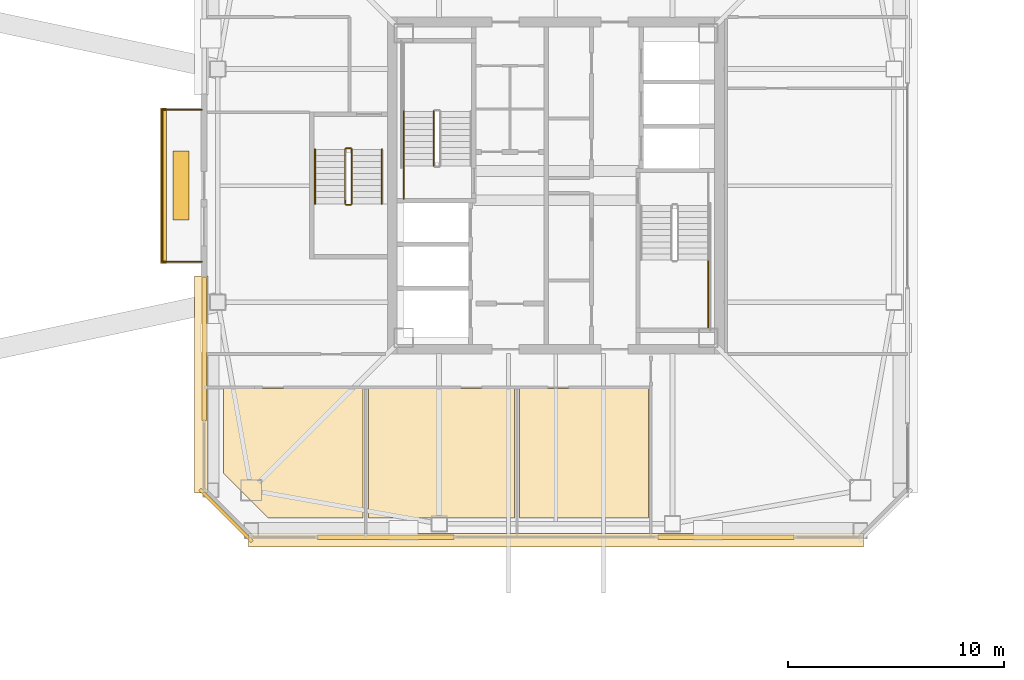
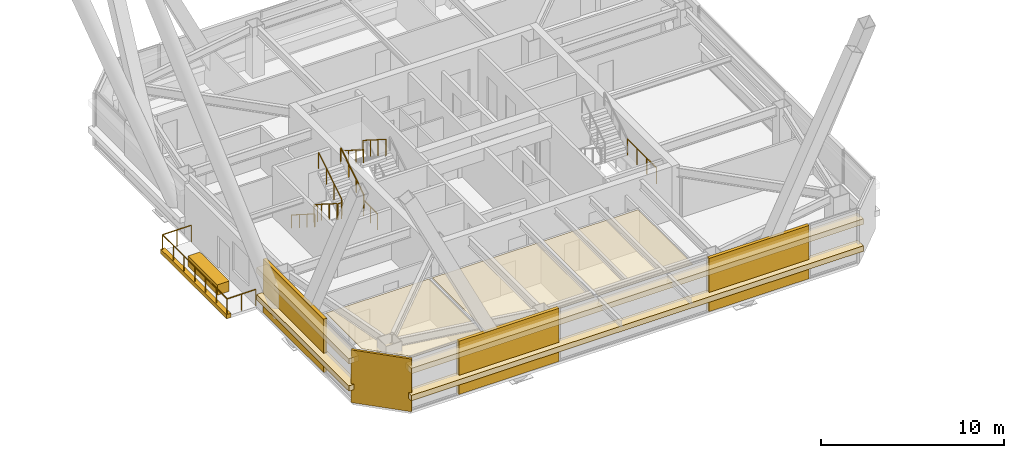
# One storey, part 51 of 56: 13 coverings, 13 railings.
"""IFC4 building model written with IfcOpenShell, lengths in metres."""

from ifc_helpers import new_model, si_unit, direction, frame, origin, origin_2d, place, context, subcontext, project, spatial, polyline, rectangle, outline, extrude, material, layer, layer_set, type_object, element, save


model = new_model("IFC4")

# Units and contexts
model_context = context("Model", 3, precision=1e-05, world=origin(), true_north=direction((0.0, 1.0)))
body_context = subcontext(model_context, "Body", "Model", "MODEL_VIEW")
ifc_project = project(units=[si_unit("LENGTHUNIT", "METRE"), si_unit("AREAUNIT", "SQUARE_METRE"), si_unit("VOLUMEUNIT", "CUBIC_METRE"), si_unit("PLANEANGLEUNIT", "RADIAN"), si_unit("MASSUNIT", "GRAM", prefix="KILO")], contexts=[model_context])

# Site, building, storey
site_placement = place(None, origin())
site = spatial("IfcSite", under=ifc_project, at=site_placement, CompositionType="ELEMENT")
building_placement = place(site_placement, origin())
building = spatial("IfcBuilding", under=site, at=building_placement, Name="Tashvorn Skyway Center", CompositionType="ELEMENT")
storey_placement = place(building_placement, frame((0.0, 0.0, 218.39990234375)))
storey = spatial("IfcBuildingStorey", under=building, at=storey_placement, Name="L59", CompositionType="ELEMENT", Elevation=218.39990234375)

# Coverings
ifc_material_1 = material(Name="Precast concrete C40/50", Category="concrete")
ifc_layer_1 = layer(ifc_material_1, 0.199951171875)
ifc_layer_set_1 = layer_set([ifc_layer_1], Name="Precast concrete C40/50")
covering_type_1 = type_object("IfcCoveringType", Name="COV-BRACE-CLAD", PredefinedType="CLADDING", material=ifc_layer_set_1)
for number, where, z_axis, x_axis, name in (
    (1, (49.877685546875, 15.719970703125, 0.0), (0.0, 0.0, 1.0), (-1.0, 0.0, 0.0), "Tower 1 L59 South Unitised Curtain Wall Mega-Brace Cladding Band 1"),
    (2, (34.122314453125, 15.719970703125, 0.0), (0.0, 0.0, 1.0), (-1.0, 0.0, 0.0), "Tower 1 L59 South Unitised Curtain Wall Mega-Brace Cladding Band 2"),
):
    element("IfcCovering", number, at=place(storey_placement, frame(where, z_axis=z_axis, x_axis=x_axis)), inside=storey, type_object=covering_type_1, Name=name, PredefinedType="CLADDING", context=body_context, shape_type="SweptSolid", body=[
        extrude(rectangle(XDim=6.30224609375, YDim=0.199951171875, at=origin_2d()), origin(), (0.0, 0.0, 1.0), 3.550048828125),
    ])
covering_1_placement = place(storey_placement, frame((25.719970703125, 24.43994140625, 0.0), z_axis=(0.0, 0.0, 1.0), x_axis=(0.0, 1.0, 0.0)))
element("IfcCovering", 3, at=covering_1_placement, inside=storey, type_object=covering_type_1, Name="Tower 1 L59 West Curtain Wall L Mega-Brace Cladding Band 1", PredefinedType="CLADDING", context=body_context, shape_type="SweptSolid", body=[
    extrude(rectangle(XDim=6.6201171875, YDim=0.199951171875, at=origin_2d()), origin(), (0.0, 0.0, 1.0), 3.550048828125),
])
ifc_material_2 = material(Name="Mineral-fibre acoustic ceiling tile on suspended grid")
ifc_layer_2 = layer(ifc_material_2, 0.02001953125)
ifc_layer_set_2 = layer_set([ifc_layer_2], Name="Mineral-fibre acoustic ceiling tile on suspended grid")
covering_type_2 = type_object("IfcCoveringType", Name="COV-CEIL-20", PredefinedType="CEILING", material=ifc_layer_set_2)
covering_2_placement = place(storey_placement, frame((0.0, 0.0, 2.703125)))
element("IfcCovering", 4, at=covering_2_placement, inside=storey, type_object=covering_type_2, Name="Tower 1 L59 Executive Suite Acoustic Ceiling", PredefinedType="CEILING", context=body_context, shape_type="SweptSolid", body=[
    extrude(outline(polyline([(26.6201171875, 22.610107421875), (33.080078125, 22.610107421875), (33.080078125, 16.6201171875), (28.679931640625, 16.6201171875), (26.6201171875, 18.679931640625), (26.6201171875, 22.610107421875)])), origin(), (0.0, 0.0, 1.0), 0.02001953125),
])
covering_3_placement = place(storey_placement, frame((0.0, 0.0, 2.703125)))
element("IfcCovering", 5, at=covering_3_placement, inside=storey, type_object=covering_type_2, Name="Tower 1 L59 Catering Pantry Acoustic Ceiling", PredefinedType="CEILING", context=body_context, shape_type="SweptSolid", body=[
    extrude(outline(polyline([(33.320068359375, 22.610107421875), (40.080078125, 22.610107421875), (40.080078125, 16.6201171875), (33.320068359375, 16.6201171875), (33.320068359375, 22.610107421875)])), origin(), (0.0, 0.0, 1.0), 0.02001953125),
])
covering_4_placement = place(storey_placement, frame((0.0, 0.0, 2.703125)))
element("IfcCovering", 6, at=covering_4_placement, inside=storey, type_object=covering_type_2, Name="Tower 1 L59 Catering Pantry Acoustic Ceiling", PredefinedType="CEILING", context=body_context, shape_type="SweptSolid", body=[
    extrude(outline(polyline([(40.320068359375, 22.610107421875), (46.280029296875, 22.610107421875), (46.280029296875, 16.6201171875), (40.320068359375, 16.6201171875), (40.320068359375, 22.610107421875)])), origin(), (0.0, 0.0, 1.0), 0.02001953125),
])
ifc_material_3 = material(Name="Perforated ceramic-coated bronze aluminium solar screen", Category="aluminium")
ifc_layer_3 = layer(ifc_material_3, 0.85009765625)
ifc_layer_set_3 = layer_set([ifc_layer_3], Name="Perforated ceramic-coated bronze aluminium solar screen")
covering_type_3 = type_object("IfcCoveringType", Name="COV-SOLAR-BAND", PredefinedType="CLADDING", material=ifc_layer_set_3)
for number, where, z_axis, x_axis, name in (
    (7, (42.0, 15.580078125, 0.919921875), (0.0, 0.0, 1.0), (-1.0, 0.0, 0.0), "L59 Perforated Ceramic-Metal Solar Screen Louvre Band South 1"),
    (8, (42.0, 15.580078125, 2.72021484375), (0.0, 0.0, 1.0), (-1.0, 0.0, 0.0), "L59 Perforated Ceramic-Metal Solar Screen Louvre Band South 2"),
):
    element("IfcCovering", number, at=place(storey_placement, frame(where, z_axis=z_axis, x_axis=x_axis)), inside=storey, type_object=covering_type_3, Name=name, PredefinedType="CLADDING", context=body_context, shape_type="SweptSolid", body=[
        extrude(rectangle(XDim=28.47998046875, YDim=0.639892578125, at=origin_2d()), origin(), (0.0, 0.0, 1.0), 0.360107421875),
    ])
for number, where, z_axis, x_axis, name in (
    (9, (25.580078125, 22.784912109375, 0.919921875), (0.0, 0.0, 1.0), (0.0, 1.0, 0.0), "L59 Perforated Ceramic-Metal Solar Screen Louvre Band West 1"),
    (10, (25.580078125, 22.784912109375, 2.72021484375), (0.0, 0.0, 1.0), (0.0, 1.0, 0.0), "L59 Perforated Ceramic-Metal Solar Screen Louvre Band West 2"),
):
    element("IfcCovering", number, at=place(storey_placement, frame(where, z_axis=z_axis, x_axis=x_axis)), inside=storey, type_object=covering_type_3, Name=name, PredefinedType="CLADDING", context=body_context, shape_type="SweptSolid", body=[
        extrude(rectangle(XDim=10.050048828125, YDim=0.639892578125, at=origin_2d()), origin(), (0.0, 0.0, 1.0), 0.360107421875),
    ])
ifc_layer_4 = layer(ifc_material_1, 0.35009765625)
ifc_layer_set_4 = layer_set([ifc_layer_4], Name="Precast concrete C40/50")
covering_type_4 = type_object("IfcCoveringType", Name="COV-STONE-TRIM", PredefinedType="CLADDING", material=ifc_layer_set_4)
covering_5_placement = place(storey_placement, frame((23.840087890625, 32.0, -0.16015625), z_axis=(0.0, 0.0, 1.0), x_axis=(0.0, 1.0, 0.0)))
element("IfcCovering", 11, at=covering_5_placement, inside=storey, type_object=covering_type_4, Name="Tower 1 L59 Spiral Terrace Terracotta Fascia", PredefinedType="CLADDING", context=body_context, shape_type="SweptSolid", body=[
    extrude(rectangle(XDim=7.199951171875, YDim=0.280029296875, at=origin_2d()), origin(), (0.0, 0.0, 1.0), 0.280029296875),
])
covering_6_placement = place(storey_placement, frame((24.64990234375, 32.0, 0.0), z_axis=(0.0, 0.0, 1.0), x_axis=(0.0, 1.0, 0.0)))
element("IfcCovering", 12, at=covering_6_placement, inside=storey, type_object=covering_type_4, Name="Tower 1 L59 Spiral Terrace Planter", PredefinedType="CLADDING", context=body_context, shape_type="SweptSolid", body=[
    extrude(rectangle(XDim=3.199951171875, YDim=0.75, at=origin_2d()), origin(), (0.0, 0.0, 1.0), 0.679931640625),
])
covering_7_placement = place(storey_placement, frame((26.72998046875, 16.72998046875, 0.02001953125), z_axis=(0.0, 0.0, 1.0), x_axis=(-0.707106781187, 0.707106781187, 0.0)))
element("IfcCovering", 13, at=covering_7_placement, inside=storey, type_object=covering_type_4, Name="Tower 1 L59 SW Mojave Limestone Corner Quoin", PredefinedType="CLADDING", context=body_context, shape_type="SweptSolid", body=[
    extrude(rectangle(XDim=3.41259765625, YDim=0.139892578125, at=origin_2d()), origin(), (0.0, 0.0, 1.0), 3.510009765625),
])

# Railings
ifc_material_4 = material(Name="Galvanized steel S355", Category="steel")
railing_type_1 = type_object("IfcRailingType", Name="RAIL-GUARD-1120", PredefinedType="GUARDRAIL", material=ifc_material_4)
railing_1_placement = place(storey_placement, frame((25.60009765625, 28.47998046875, 0.0)))
element("IfcRailing", 14, at=railing_1_placement, inside=storey, type_object=railing_type_1, Name="L59 Tower 1 Terrace Guardrail 01", PredefinedType="GUARDRAIL", context=body_context, shape_type="SweptSolid", body=[
    extrude(rectangle(XDim=0.048095703125, YDim=0.048095703125, at=origin_2d()), frame((0.0, 0.0, 1.09619140625), z_axis=(-1.0, 0.0, 0.0), x_axis=(0.0, -1.0, 0.0)), (0.0, 0.0, 1.0), 1.820068359375),
    extrude(rectangle(XDim=0.0419921875, YDim=0.0419921875, at=origin_2d()), origin(), (0.0, 0.0, 1.0), 1.072021484375),
    extrude(rectangle(XDim=0.0419921875, YDim=0.0419921875, at=origin_2d()), frame((-0.91015625, 0.0, 0.0)), (0.0, 0.0, 1.0), 1.072021484375),
    extrude(rectangle(XDim=0.0419921875, YDim=0.0419921875, at=origin_2d()), frame((-1.820068359375, 0.0, 0.0)), (0.0, 0.0, 1.0), 1.072021484375),
])
railing_2_placement = place(storey_placement, frame((23.780029296875, 28.47998046875, 0.0)))
element("IfcRailing", 15, at=railing_2_placement, inside=storey, type_object=railing_type_1, Name="L59 Tower 1 Terrace Guardrail 02", PredefinedType="GUARDRAIL", context=body_context, shape_type="SweptSolid", body=[
    extrude(rectangle(XDim=0.048095703125, YDim=0.048095703125, at=origin_2d()), frame((0.0, 0.0, 1.09619140625), z_axis=(0.0, 1.0, 0.0), x_axis=(-1.0, 0.0, 0.0)), (0.0, 0.0, 1.0), 7.0400390625),
    extrude(rectangle(XDim=0.0419921875, YDim=0.0419921875, at=origin_2d()), origin(), (0.0, 0.0, 1.0), 1.072021484375),
    extrude(rectangle(XDim=0.0419921875, YDim=0.0419921875, at=origin_2d()), frame((0.0, 1.17333984375, 0.0)), (0.0, 0.0, 1.0), 1.072021484375),
    extrude(rectangle(XDim=0.0419921875, YDim=0.0419921875, at=origin_2d()), frame((0.0, 2.3466796875, 0.0)), (0.0, 0.0, 1.0), 1.072021484375),
    extrude(rectangle(XDim=0.0419921875, YDim=0.0419921875, at=origin_2d()), frame((0.0, 3.52001953125, 0.0)), (0.0, 0.0, 1.0), 1.072021484375),
    extrude(rectangle(XDim=0.0419921875, YDim=0.0419921875, at=origin_2d()), frame((0.0, 4.693359375, 0.0)), (0.0, 0.0, 1.0), 1.072021484375),
    extrude(rectangle(XDim=0.0419921875, YDim=0.0419921875, at=origin_2d()), frame((0.0, 5.86669921875, 0.0)), (0.0, 0.0, 1.0), 1.072021484375),
    extrude(rectangle(XDim=0.0419921875, YDim=0.0419921875, at=origin_2d()), frame((0.0, 7.0400390625, 0.0)), (0.0, 0.0, 1.0), 1.072021484375),
])
railing_3_placement = place(storey_placement, frame((23.780029296875, 35.52001953125, 0.0)))
element("IfcRailing", 16, at=railing_3_placement, inside=storey, type_object=railing_type_1, Name="L59 Tower 1 Terrace Guardrail 03", PredefinedType="GUARDRAIL", context=body_context, shape_type="SweptSolid", body=[
    extrude(rectangle(XDim=0.048095703125, YDim=0.048095703125, at=origin_2d()), frame((0.0, 0.0, 1.09619140625), z_axis=(1.0, 0.0, 0.0), x_axis=(0.0, 1.0, 0.0)), (0.0, 0.0, 1.0), 1.820068359375),
    extrude(rectangle(XDim=0.0419921875, YDim=0.0419921875, at=origin_2d()), origin(), (0.0, 0.0, 1.0), 1.072021484375),
    extrude(rectangle(XDim=0.0419921875, YDim=0.0419921875, at=origin_2d()), frame((0.91015625, 0.0, 0.0)), (0.0, 0.0, 1.0), 1.072021484375),
    extrude(rectangle(XDim=0.0419921875, YDim=0.0419921875, at=origin_2d()), frame((1.820068359375, 0.0, 0.0)), (0.0, 0.0, 1.0), 1.072021484375),
])
ifc_material_5 = material(Name="Brushed stainless steel 316", Category="steel")
railing_type_2 = type_object("IfcRailingType", Name="RAIL-HAND-920", PredefinedType="HANDRAIL", material=ifc_material_5)
railing_4_placement = place(storey_placement, frame((34.949951171875, 35.43994140625, 1.95263671875)))
element("IfcRailing", 17, at=railing_4_placement, inside=storey, type_object=railing_type_2, Name="L59 ST-T1-1 stair handrail 2", PredefinedType="HANDRAIL", context=body_context, shape_type="SweptSolid", body=[
    extrude(rectangle(XDim=0.048095703125, YDim=0.048095703125, at=origin_2d()), frame((0.0, 0.0, 0.8759765625), z_axis=(0.0, -0.84460694969, 0.535386869969), x_axis=(1.0, 0.0, 0.0)), (0.0, 0.0, 1.0), 2.983642578125),
    extrude(rectangle(XDim=0.0419921875, YDim=0.0419921875, at=origin_2d()), origin(), (0.0, 0.0, 1.0), 0.851806640625),
    extrude(rectangle(XDim=0.0419921875, YDim=0.0419921875, at=origin_2d()), frame((0.0, -0.840087890625, 0.532470703125)), (0.0, 0.0, 1.0), 0.851806640625),
    extrude(rectangle(XDim=0.0419921875, YDim=0.0419921875, at=origin_2d()), frame((0.0, -1.679931640625, 1.06494140625)), (0.0, 0.0, 1.0), 0.851806640625),
    extrude(rectangle(XDim=0.0419921875, YDim=0.0419921875, at=origin_2d()), frame((0.0, -2.52001953125, 1.597412109375)), (0.0, 0.0, 1.0), 0.851806640625),
])
railing_5_placement = place(storey_placement, frame((30.85009765625, 33.679931640625, 0.177490234375)))
element("IfcRailing", 18, at=railing_5_placement, inside=storey, type_object=railing_type_2, Name="L59 ST-T1-3 stair handrail 1", PredefinedType="HANDRAIL", context=body_context, shape_type="SweptSolid", body=[
    extrude(rectangle(XDim=0.048095703125, YDim=0.048095703125, at=origin_2d()), frame((0.0, 0.0, 0.8759765625), z_axis=(0.0, -0.84456994832, 0.535445237532), x_axis=(1.0, 0.0, 0.0)), (0.0, 0.0, 1.0), 2.98388671875),
    extrude(rectangle(XDim=0.0419921875, YDim=0.0419921875, at=origin_2d()), origin(), (0.0, 0.0, 1.0), 0.851806640625),
    extrude(rectangle(XDim=0.0419921875, YDim=0.0419921875, at=origin_2d()), frame((0.0, -0.840087890625, 0.532470703125)), (0.0, 0.0, 1.0), 0.851806640625),
    extrude(rectangle(XDim=0.0419921875, YDim=0.0419921875, at=origin_2d()), frame((0.0, -1.679931640625, 1.065185546875)), (0.0, 0.0, 1.0), 0.851806640625),
    extrude(rectangle(XDim=0.0419921875, YDim=0.0419921875, at=origin_2d()), frame((0.0, -2.52001953125, 1.59765625)), (0.0, 0.0, 1.0), 0.851806640625),
])
railing_6_placement = place(storey_placement, frame((33.949951171875, 31.159912109375, 1.95263671875)))
element("IfcRailing", 19, at=railing_6_placement, inside=storey, type_object=railing_type_2, Name="L59 ST-T1-3 stair handrail 2", PredefinedType="HANDRAIL", context=body_context, shape_type="SweptSolid", body=[
    extrude(rectangle(XDim=0.048095703125, YDim=0.048095703125, at=origin_2d()), frame((0.0, 0.0, 0.8759765625), z_axis=(0.0, 0.84460694969, 0.535386869969), x_axis=(-1.0, 0.0, 0.0)), (0.0, 0.0, 1.0), 2.983642578125),
    extrude(rectangle(XDim=0.0419921875, YDim=0.0419921875, at=origin_2d()), origin(), (0.0, 0.0, 1.0), 0.851806640625),
    extrude(rectangle(XDim=0.0419921875, YDim=0.0419921875, at=origin_2d()), frame((0.0, 0.840087890625, 0.532470703125)), (0.0, 0.0, 1.0), 0.851806640625),
    extrude(rectangle(XDim=0.0419921875, YDim=0.0419921875, at=origin_2d()), frame((0.0, 1.679931640625, 1.06494140625)), (0.0, 0.0, 1.0), 0.851806640625),
    extrude(rectangle(XDim=0.0419921875, YDim=0.0419921875, at=origin_2d()), frame((0.0, 2.52001953125, 1.597412109375)), (0.0, 0.0, 1.0), 0.851806640625),
])
ifc_material_6 = material(Name="Painted galvanized steel S355", Category="steel")
railing_type_3 = type_object("IfcRailingType", Name="RAIL-STGUARD-1100", PredefinedType="GUARDRAIL", material=ifc_material_6)
railing_7_placement = place(storey_placement, frame((36.35009765625, 35.43994140625, 1.95263671875)))
element("IfcRailing", 20, at=railing_7_placement, inside=storey, type_object=railing_type_3, Name="L59 ST-T1-1 stair guard 4", PredefinedType="GUARDRAIL", context=body_context, shape_type="SweptSolid", body=[
    extrude(rectangle(XDim=0.048095703125, YDim=0.048095703125, at=origin_2d()), frame((0.0, 0.0, 1.076171875), z_axis=(0.0, -0.84460694969, 0.535386869969), x_axis=(1.0, 0.0, 0.0)), (0.0, 0.0, 1.0), 2.983642578125),
    extrude(rectangle(XDim=0.0419921875, YDim=0.0419921875, at=origin_2d()), origin(), (0.0, 0.0, 1.0), 1.052001953125),
    extrude(rectangle(XDim=0.0419921875, YDim=0.0419921875, at=origin_2d()), frame((0.0, -0.840087890625, 0.532470703125)), (0.0, 0.0, 1.0), 1.052001953125),
    extrude(rectangle(XDim=0.0419921875, YDim=0.0419921875, at=origin_2d()), frame((0.0, -1.679931640625, 1.06494140625)), (0.0, 0.0, 1.0), 1.052001953125),
    extrude(rectangle(XDim=0.0419921875, YDim=0.0419921875, at=origin_2d()), frame((0.0, -2.52001953125, 1.597412109375)), (0.0, 0.0, 1.0), 1.052001953125),
])
railing_8_placement = place(storey_placement, frame((34.949951171875, 31.39990234375, 0.0)))
element("IfcRailing", 21, at=railing_8_placement, inside=storey, type_object=railing_type_3, Name="L59 ST-T1-1 stair guard 6", PredefinedType="GUARDRAIL", context=body_context, shape_type="SweptSolid", body=[
    extrude(rectangle(XDim=0.048095703125, YDim=0.048095703125, at=origin_2d()), frame((0.0, 0.0, 1.076171875), z_axis=(0.0, 1.0, 0.0), x_axis=(-1.0, 0.0, 0.0)), (0.0, 0.0, 1.0), 1.52001953125),
    extrude(rectangle(XDim=0.0419921875, YDim=0.0419921875, at=origin_2d()), origin(), (0.0, 0.0, 1.0), 1.052001953125),
    extrude(rectangle(XDim=0.0419921875, YDim=0.0419921875, at=origin_2d()), frame((0.0, 0.760009765625, 0.0)), (0.0, 0.0, 1.0), 1.052001953125),
    extrude(rectangle(XDim=0.0419921875, YDim=0.0419921875, at=origin_2d()), frame((0.0, 1.52001953125, 0.0)), (0.0, 0.0, 1.0), 1.052001953125),
])
railing_9_placement = place(storey_placement, frame((49.050048828125, 28.56005859375, 1.775146484375)))
element("IfcRailing", 22, at=railing_9_placement, inside=storey, type_object=railing_type_3, Name="L59 ST-T1-2 stair guard 3", PredefinedType="GUARDRAIL", context=body_context, shape_type="SweptSolid", body=[
    extrude(rectangle(XDim=0.048095703125, YDim=0.048095703125, at=origin_2d()), frame((0.0, 0.0, 1.076171875), z_axis=(0.0, -1.0, 0.0), x_axis=(1.0, 0.0, 0.0)), (0.0, 0.0, 1.0), 3.16015625),
    extrude(rectangle(XDim=0.0419921875, YDim=0.0419921875, at=origin_2d()), origin(), (0.0, 0.0, 1.0), 1.052001953125),
    extrude(rectangle(XDim=0.0419921875, YDim=0.0419921875, at=origin_2d()), frame((0.0, -1.053466796875, 0.0)), (0.0, 0.0, 1.0), 1.052001953125),
    extrude(rectangle(XDim=0.0419921875, YDim=0.0419921875, at=origin_2d()), frame((0.0, -2.106689453125, 0.0)), (0.0, 0.0, 1.0), 1.052001953125),
    extrude(rectangle(XDim=0.0419921875, YDim=0.0419921875, at=origin_2d()), frame((0.0, -3.16015625, 0.0)), (0.0, 0.0, 1.0), 1.052001953125),
])
railing_10_placement = place(storey_placement, frame((32.25, 33.679931640625, 0.177490234375)))
element("IfcRailing", 23, at=railing_10_placement, inside=storey, type_object=railing_type_3, Name="L59 ST-T1-3 stair guard 1", PredefinedType="GUARDRAIL", context=body_context, shape_type="SweptSolid", body=[
    extrude(rectangle(XDim=0.048095703125, YDim=0.048095703125, at=origin_2d()), frame((0.0, 0.0, 1.076171875), z_axis=(0.0, -0.84456994832, 0.535445237532), x_axis=(1.0, 0.0, 0.0)), (0.0, 0.0, 1.0), 2.98388671875),
    extrude(rectangle(XDim=0.0419921875, YDim=0.0419921875, at=origin_2d()), origin(), (0.0, 0.0, 1.0), 1.052001953125),
    extrude(rectangle(XDim=0.0419921875, YDim=0.0419921875, at=origin_2d()), frame((0.0, -0.840087890625, 0.532470703125)), (0.0, 0.0, 1.0), 1.052001953125),
    extrude(rectangle(XDim=0.0419921875, YDim=0.0419921875, at=origin_2d()), frame((0.0, -1.679931640625, 1.065185546875)), (0.0, 0.0, 1.0), 1.052001953125),
    extrude(rectangle(XDim=0.0419921875, YDim=0.0419921875, at=origin_2d()), frame((0.0, -2.52001953125, 1.59765625)), (0.0, 0.0, 1.0), 1.052001953125),
])
railing_11_placement = place(storey_placement, frame((32.300048828125, 31.110107421875, 1.775146484375)))
element("IfcRailing", 24, at=railing_11_placement, inside=storey, type_object=railing_type_3, Name="L59 ST-T1-3 stair guard 2", PredefinedType="GUARDRAIL", context=body_context, shape_type="SweptSolid", body=[
    extrude(rectangle(XDim=0.048095703125, YDim=0.048095703125, at=origin_2d()), frame((0.0, 0.0, 1.076171875), z_axis=(1.0, 0.0, 0.0), x_axis=(0.0, 1.0, 0.0)), (0.0, 0.0, 1.0), 0.199951171875),
    extrude(rectangle(XDim=0.0419921875, YDim=0.0419921875, at=origin_2d()), origin(), (0.0, 0.0, 1.0), 1.052001953125),
    extrude(rectangle(XDim=0.0419921875, YDim=0.0419921875, at=origin_2d()), frame((0.199951171875, 0.0, 0.0)), (0.0, 0.0, 1.0), 1.052001953125),
])
railing_12_placement = place(storey_placement, frame((32.550048828125, 31.159912109375, 1.95263671875)))
element("IfcRailing", 25, at=railing_12_placement, inside=storey, type_object=railing_type_3, Name="L59 ST-T1-3 stair guard 3", PredefinedType="GUARDRAIL", context=body_context, shape_type="SweptSolid", body=[
    extrude(rectangle(XDim=0.048095703125, YDim=0.048095703125, at=origin_2d()), frame((0.0, 0.0, 1.076171875), z_axis=(0.0, 0.84460694969, 0.535386869969), x_axis=(-1.0, 0.0, 0.0)), (0.0, 0.0, 1.0), 2.983642578125),
    extrude(rectangle(XDim=0.0419921875, YDim=0.0419921875, at=origin_2d()), origin(), (0.0, 0.0, 1.0), 1.052001953125),
    extrude(rectangle(XDim=0.0419921875, YDim=0.0419921875, at=origin_2d()), frame((0.0, 0.840087890625, 0.532470703125)), (0.0, 0.0, 1.0), 1.052001953125),
    extrude(rectangle(XDim=0.0419921875, YDim=0.0419921875, at=origin_2d()), frame((0.0, 1.679931640625, 1.06494140625)), (0.0, 0.0, 1.0), 1.052001953125),
    extrude(rectangle(XDim=0.0419921875, YDim=0.0419921875, at=origin_2d()), frame((0.0, 2.52001953125, 1.597412109375)), (0.0, 0.0, 1.0), 1.052001953125),
])
railing_13_placement = place(storey_placement, frame((32.300048828125, 33.72998046875, 0.0)))
element("IfcRailing", 26, at=railing_13_placement, inside=storey, type_object=railing_type_3, Name="L59 ST-T1-3 stair guard 4", PredefinedType="GUARDRAIL", context=body_context, shape_type="SweptSolid", body=[
    extrude(rectangle(XDim=0.048095703125, YDim=0.048095703125, at=origin_2d()), frame((0.0, 0.0, 1.076171875), z_axis=(1.0, 0.0, 0.0), x_axis=(0.0, 1.0, 0.0)), (0.0, 0.0, 1.0), 0.199951171875),
    extrude(rectangle(XDim=0.0419921875, YDim=0.0419921875, at=origin_2d()), origin(), (0.0, 0.0, 1.0), 1.052001953125),
    extrude(rectangle(XDim=0.0419921875, YDim=0.0419921875, at=origin_2d()), frame((0.199951171875, 0.0, 0.0)), (0.0, 0.0, 1.0), 1.052001953125),
])

save(model, "model.ifc")
